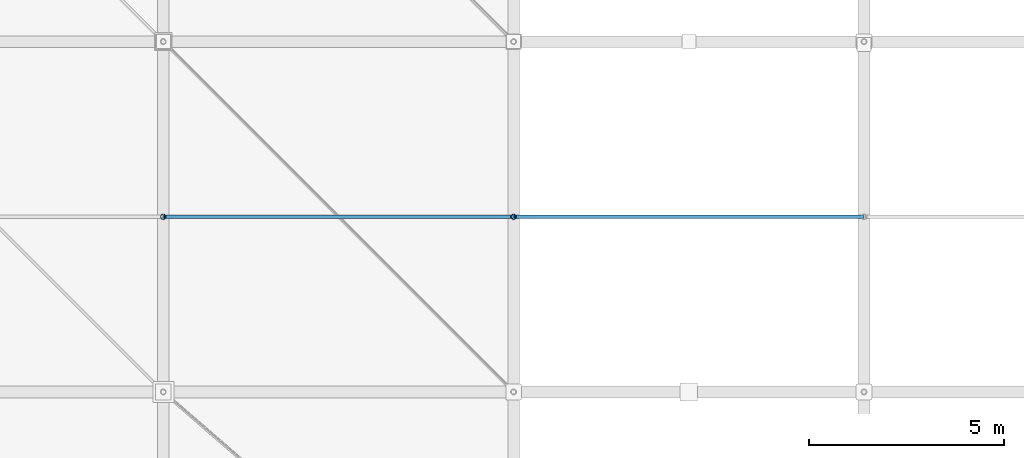
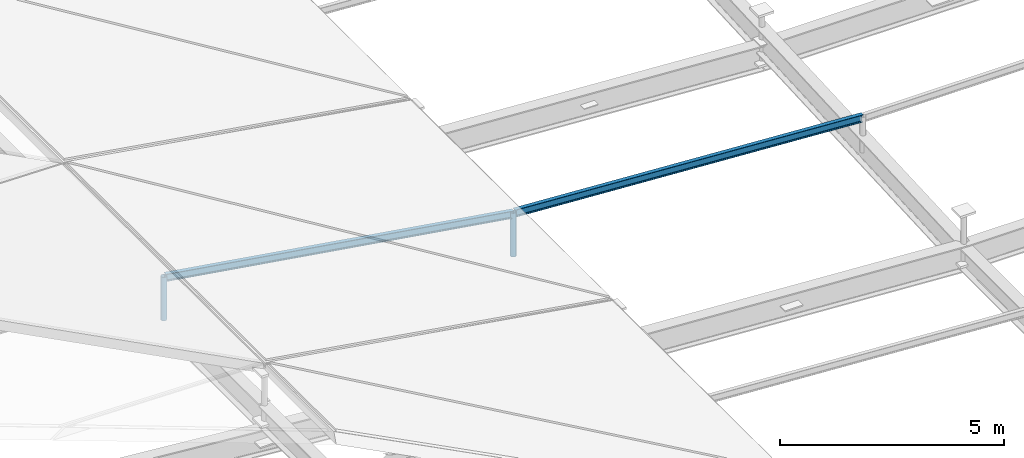
# One storey, part 5 of 80: 4 members.
"""IFC4 building model written with IfcOpenShell, lengths in metres."""

from ifc_helpers import new_model, si_unit, direction, frame, origin, origin_2d, place, context, subcontext, project, spatial, hollow_circle, i_section, extrude, material, material_profile, profile_set, type_object, element, save


model = new_model("IFC4")

# Units and contexts
model_context = context("Model", 3, precision=1e-05, world=origin(), true_north=direction((0.0, 1.0)))
body_context = subcontext(model_context, "Body", "Model", "MODEL_VIEW")
ifc_project = project(units=[si_unit("LENGTHUNIT", "METRE"), si_unit("AREAUNIT", "SQUARE_METRE"), si_unit("VOLUMEUNIT", "CUBIC_METRE"), si_unit("PLANEANGLEUNIT", "RADIAN"), si_unit("MASSUNIT", "GRAM", prefix="KILO")], contexts=[model_context])

# Site, building, storey
site_placement = place(None, origin())
site = spatial("IfcSite", under=ifc_project, at=site_placement, CompositionType="ELEMENT")
building_placement = place(site_placement, origin())
building = spatial("IfcBuilding", under=site, at=building_placement, Name="Barlavento Convention Centre", CompositionType="ELEMENT")
storey_placement = place(building_placement, frame((0.0, 0.0, 29.800048828125)))
storey = spatial("IfcBuildingStorey", under=building, at=storey_placement, Name="RF", CompositionType="ELEMENT", Elevation=29.800048828125)

# Members
ifc_material = material(Name="Steel S355", Category="steel")
ifc_material_profile_1 = material_profile(ifc_material, hollow_circle(Radius=0.06982421875, WallThickness=0.008056640625, at=origin_2d()), Name="CHS 139.7x8.0")
ifc_profile_set_1 = profile_set([ifc_material_profile_1], Name="Steel S355")
member_type_1 = type_object("IfcMemberType", Name="STR-MEM-DIAG-CHS139", PredefinedType="BRACE", material=ifc_profile_set_1)
member_1_placement = place(storey_placement, frame((9.0, 4.5, 0.0361328125), z_axis=(0.0, 0.0, 1.0), x_axis=(1.0, 0.0, 0.0)))
element("IfcMember", 1, at=member_1_placement, inside=storey, type_object=member_type_1, Name="Congress space frame vertical node post TD04", PredefinedType="BRACE", context=body_context, shape_type="SweptSolid", body=[
    extrude(hollow_circle(Radius=0.06982421875, WallThickness=0.008056640625, at=origin_2d()), origin(), (0.0, 0.0, 1.0), 1.182373046875),
])
member_2_placement = place(storey_placement, frame((18.0, 4.5, -1.37646484375), z_axis=(0.0, 0.0, 1.0), x_axis=(1.0, 0.0, 0.0)))
element("IfcMember", 2, at=member_2_placement, inside=storey, type_object=member_type_1, Name="Congress space frame vertical node post TD04", PredefinedType="BRACE", context=body_context, shape_type="SweptSolid", body=[
    extrude(hollow_circle(Radius=0.06982421875, WallThickness=0.008056640625, at=origin_2d()), origin(), (0.0, 0.0, 1.0), 1.1943359375),
])
ifc_material_profile_2 = material_profile(ifc_material, i_section(OverallWidth=0.10009765625, OverallDepth=0.199951171875, WebThickness=0.005615234375, FlangeThickness=0.008544921875, FilletRadius=0.011962890625, at=origin_2d()), Name="IPE 200")
ifc_profile_set_2 = profile_set([ifc_material_profile_2], Name="Steel S355")
member_type_2 = type_object("IfcMemberType", Name="STR-MEM-PUR-IPE200", PredefinedType="PURLIN", material=ifc_profile_set_2)
member_3_placement = place(storey_placement, frame((9.02001953125, 4.5, 1.177734375), z_axis=(0.987844670797, 0.0, -0.155444222721), x_axis=(0.0, 1.0, 0.0)))
element("IfcMember", 3, at=member_3_placement, inside=storey, type_object=member_type_2, Name="Congress roof intermediate purlin PR01", PredefinedType="PURLIN", context=body_context, shape_type="SweptSolid", body=[
    extrude(i_section(OverallWidth=0.10009765625, OverallDepth=0.199951171875, WebThickness=0.005615234375, FlangeThickness=0.008544921875, FilletRadius=0.011962890625, at=origin_2d()), origin(), (0.0, 0.0, 1.0), 9.0703125),
])
member_4_placement = place(storey_placement, frame((18.02001953125, 4.5, -0.22216796875), z_axis=(0.99818200864, 0.0, -0.060271698396), x_axis=(0.0, 1.0, 0.0)))
element("IfcMember", 4, at=member_4_placement, inside=storey, type_object=member_type_2, Name="Congress roof intermediate purlin PR01", PredefinedType="PURLIN", context=body_context, shape_type="SweptSolid", body=[
    extrude(i_section(OverallWidth=0.10009765625, OverallDepth=0.199951171875, WebThickness=0.005615234375, FlangeThickness=0.008544921875, FilletRadius=0.011962890625, at=origin_2d()), origin(), (0.0, 0.0, 1.0), 8.976318359375),
])

save(model, "model.ifc")
